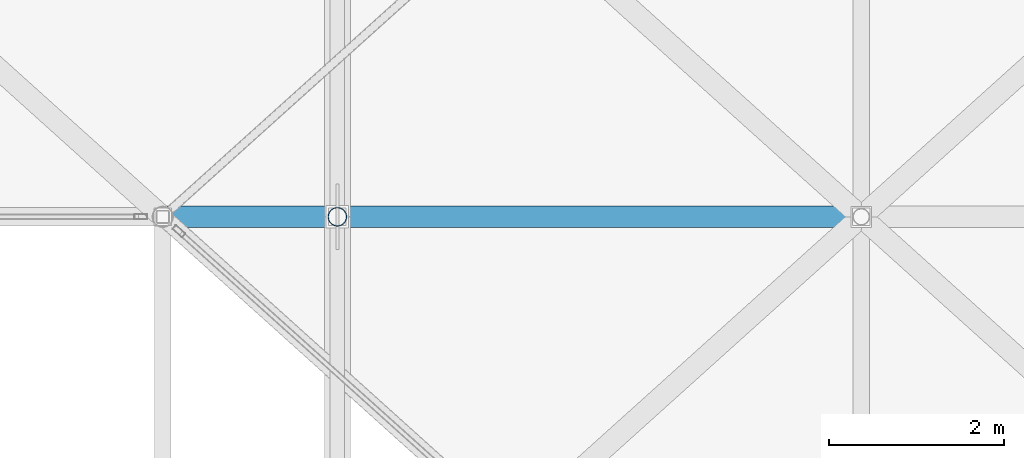
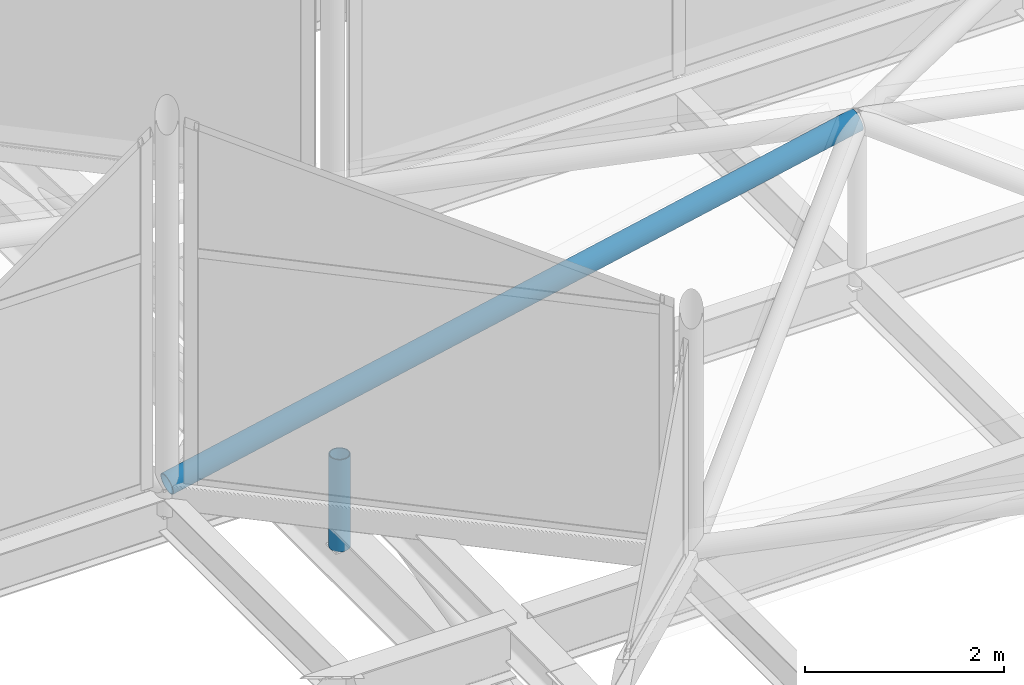
# One storey, part 80 of 239: 2 members.
"""IFC4 building model written with IfcOpenShell, lengths in metres."""

from ifc_helpers import new_model, si_unit, direction, frame, origin, origin_2d, place, context, subcontext, project, spatial, hollow_circle, extrude, material, material_profile, profile_set, type_object, element, save


model = new_model("IFC4")

# Units and contexts
model_context = context("Model", 3, precision=1e-05, world=origin(), true_north=direction((0.0, 1.0)))
body_context = subcontext(model_context, "Body", "Model", "MODEL_VIEW")
ifc_project = project(units=[si_unit("LENGTHUNIT", "METRE"), si_unit("AREAUNIT", "SQUARE_METRE"), si_unit("VOLUMEUNIT", "CUBIC_METRE"), si_unit("PLANEANGLEUNIT", "RADIAN"), si_unit("MASSUNIT", "GRAM", prefix="KILO")], contexts=[model_context])

# Site, building, storey
site_placement = place(None, origin())
site = spatial("IfcSite", under=ifc_project, at=site_placement, CompositionType="ELEMENT")
building_placement = place(site_placement, origin())
building = spatial("IfcBuilding", under=site, at=building_placement, Name="Dunvalen Ferry Terminal", CompositionType="ELEMENT")
storey_placement = place(building_placement, frame((0.0, 0.0, 9.840087890625)))
storey = spatial("IfcBuildingStorey", under=building, at=storey_placement, Name="L02", CompositionType="ELEMENT", Elevation=9.840087890625)

# Members
ifc_material = material(Name="Steel S355", Category="steel")
ifc_material_profile_1 = material_profile(ifc_material, hollow_circle(Radius=0.109619140625, WallThickness=0.010009765625, at=origin_2d()), Name="Steel S355")
ifc_profile_set_1 = profile_set([ifc_material_profile_1], Name="Steel S355")
member_type_1 = type_object("IfcMemberType", Name="STR-MB-CHS219", PredefinedType="STRUT", material=ifc_profile_set_1)
member_1_placement = place(storey_placement, frame((36.0, 68.39990234375, -0.360107421875), z_axis=(0.0, 0.0, 1.0), x_axis=(1.0, 0.0, 0.0)))
element("IfcMember", 1, at=member_1_placement, inside=storey, type_object=member_type_1, Name="Departure Hall Arch Spandrel Strut 03.4", PredefinedType="STRUT", context=body_context, shape_type="SweptSolid", body=[
    extrude(hollow_circle(Radius=0.109619140625, WallThickness=0.010009765625, at=origin_2d()), origin(), (0.0, 0.0, 1.0), 1.130126953125),
])
ifc_material_profile_2 = material_profile(ifc_material, hollow_circle(Radius=0.122314453125, WallThickness=0.010009765625, at=origin_2d()), Name="Steel S355")
ifc_profile_set_2 = profile_set([ifc_material_profile_2], Name="Steel S355")
member_type_2 = type_object("IfcMemberType", Name="STR-MB-CHS244", PredefinedType="STRUT", material=ifc_profile_set_2)
member_2_placement = place(storey_placement, frame((34.0, 68.39990234375, 1.099853515625), z_axis=(0.979020171275, 0.0, 0.203763353518), x_axis=(0.0, 1.0, 0.0)))
element("IfcMember", 2, at=member_2_placement, inside=storey, type_object=member_type_2, Name="HEX-20 Pyramid Hip Rafter 1", PredefinedType="STRUT", context=body_context, shape_type="SweptSolid", body=[
    extrude(hollow_circle(Radius=0.122314453125, WallThickness=0.010009765625, at=origin_2d()), origin(), (0.0, 0.0, 1.0), 8.17138671875),
])

save(model, "model.ifc")
